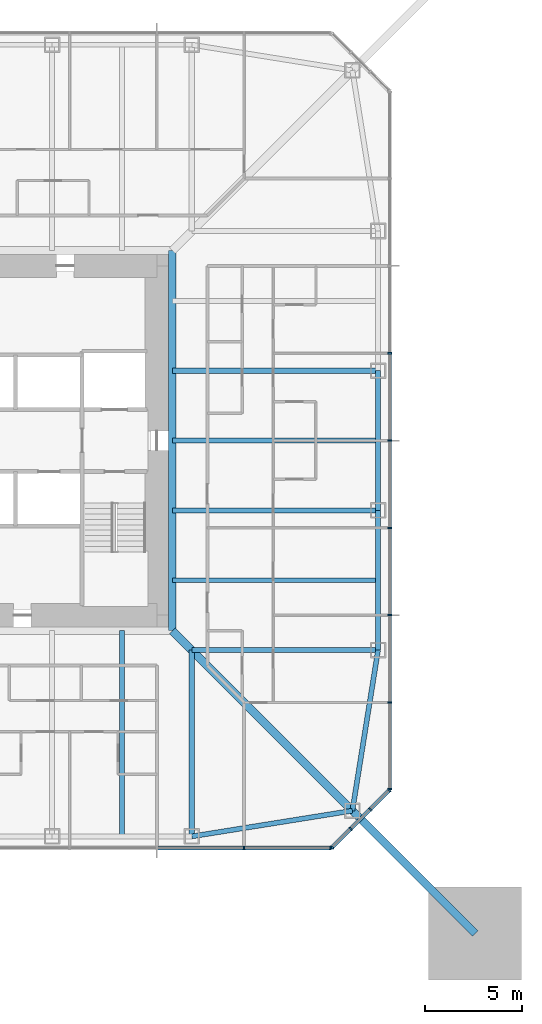
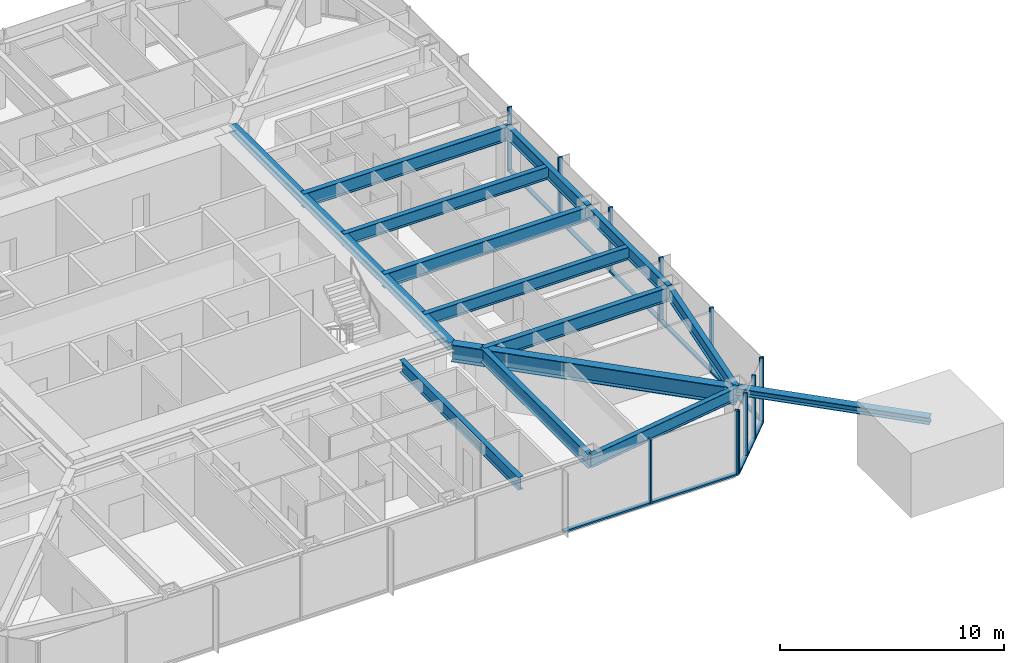
# One storey, part 3 of 14: 23 members, 13 beams, 3 elements without a shape of their own.
"""IFC4 building model written with IfcOpenShell, lengths in metres."""

from ifc_helpers import new_model, si_unit, direction, frame, origin, origin_2d, place, context, subcontext, project, spatial, rectangle, i_section, extrude, material, material_profile, profile_set, type_object, element, aggregate, save


model = new_model("IFC4")

# Units and contexts
model_context = context("Model", 3, precision=1e-05, world=origin(), true_north=direction((0.0, 1.0)))
body_context = subcontext(model_context, "Body", "Model", "MODEL_VIEW")
ifc_project = project(units=[si_unit("LENGTHUNIT", "METRE"), si_unit("AREAUNIT", "SQUARE_METRE"), si_unit("VOLUMEUNIT", "CUBIC_METRE"), si_unit("PLANEANGLEUNIT", "RADIAN"), si_unit("MASSUNIT", "GRAM", prefix="KILO")], contexts=[model_context])

# Site, building, storey
site_placement = place(None, origin())
site = spatial("IfcSite", under=ifc_project, at=site_placement, CompositionType="ELEMENT")
building_placement = place(site_placement, origin())
building = spatial("IfcBuilding", under=site, at=building_placement, Name="Iwan Alto Co-Living Towers", CompositionType="ELEMENT")
storey_placement = place(building_placement, frame((0.0, 0.0, 136.5)))
storey = spatial("IfcBuildingStorey", under=building, at=storey_placement, Name="L37", CompositionType="ELEMENT", Elevation=136.5)

# Curtain wall, members
ifc_material_1 = material(Name="Bronze aluminium unitised frame", Category="aluminium")
curtain_wall_type_1 = type_object("IfcCurtainWallType", Name="CURTAIN WALL CW-A", PredefinedType="NOTDEFINED", material=ifc_material_1)
curtain_wall_1_placement = place(storey_placement, origin())
curtain_wall_1 = element("IfcCurtainWall", 1, at=curtain_wall_1_placement, inside=storey, type_object=curtain_wall_type_1, Name="T1 curtain wall S L37", PredefinedType="NOTDEFINED")
ifc_material_2 = material(Name="Aluminium 6063-T6 bronze anodised", Category="aluminium")
ifc_material_profile_1 = material_profile(ifc_material_2, rectangle(XDim=0.199951171875, YDim=0.080078125, at=origin_2d()), Name="AL 80X200")
ifc_profile_set_1 = profile_set([ifc_material_profile_1], Name="Aluminium 6063-T6 bronze anodised")
member_type_1 = type_object("IfcMemberType", Name="CW-A MULLION 80X200", PredefinedType="MULLION", material=ifc_profile_set_1)
member_1_placement = place(storey_placement, frame((13.5, -21.0, 0.0), z_axis=(0.0, 0.0, 1.0), x_axis=(0.0, 1.0, 0.0)))
member_1 = element("IfcMember", 2, at=member_1_placement, type_object=member_type_1, Name="CW-A mullion 8", PredefinedType="MULLION", context=body_context, shape_type="SweptSolid", body=[
    extrude(rectangle(XDim=0.199951171875, YDim=0.080078125, at=origin_2d()), origin(), (0.0, 0.0, 1.0), 3.5),
])
member_2_placement = place(storey_placement, frame((17.9599609375, -21.0, 0.0), z_axis=(0.0, 0.0, 1.0), x_axis=(0.0, 1.0, 0.0)))
member_2 = element("IfcMember", 3, at=member_2_placement, type_object=member_type_1, Name="CW-A mullion 9", PredefinedType="MULLION", context=body_context, shape_type="SweptSolid", body=[
    extrude(rectangle(XDim=0.199951171875, YDim=0.080078125, at=origin_2d()), origin(), (0.0, 0.0, 1.0), 3.5),
])

curtain_wall_2_placement = place(storey_placement, origin())
curtain_wall_2 = element("IfcCurtainWall", 4, at=curtain_wall_2_placement, inside=storey, type_object=curtain_wall_type_1, Name="T1 curtain wall E L37", PredefinedType="NOTDEFINED")
member_3_placement = place(storey_placement, frame((21.0, -17.9599609375, 0.0), z_axis=(0.0, 0.0, 1.0), x_axis=(-1.0, 0.0, 0.0)))
member_3 = element("IfcMember", 5, at=member_3_placement, type_object=member_type_1, Name="CW-A mullion 1", PredefinedType="MULLION", context=body_context, shape_type="SweptSolid", body=[
    extrude(rectangle(XDim=0.199951171875, YDim=0.080078125, at=origin_2d()), origin(), (0.0, 0.0, 1.0), 3.5),
])
member_4_placement = place(storey_placement, frame((21.0, -13.5, 0.0), z_axis=(0.0, 0.0, 1.0), x_axis=(-1.0, 0.0, 0.0)))
member_4 = element("IfcMember", 6, at=member_4_placement, type_object=member_type_1, Name="CW-A mullion 2", PredefinedType="MULLION", context=body_context, shape_type="SweptSolid", body=[
    extrude(rectangle(XDim=0.199951171875, YDim=0.080078125, at=origin_2d()), origin(), (0.0, 0.0, 1.0), 3.5),
])
member_5_placement = place(storey_placement, frame((21.0, -9.0, 0.0), z_axis=(0.0, 0.0, 1.0), x_axis=(-1.0, 0.0, 0.0)))
member_5 = element("IfcMember", 7, at=member_5_placement, type_object=member_type_1, Name="CW-A mullion 3", PredefinedType="MULLION", context=body_context, shape_type="SweptSolid", body=[
    extrude(rectangle(XDim=0.199951171875, YDim=0.080078125, at=origin_2d()), origin(), (0.0, 0.0, 1.0), 3.5),
])
member_6_placement = place(storey_placement, frame((21.0, -4.5, 0.0), z_axis=(0.0, 0.0, 1.0), x_axis=(-1.0, 0.0, 0.0)))
member_6 = element("IfcMember", 8, at=member_6_placement, type_object=member_type_1, Name="CW-A mullion 4", PredefinedType="MULLION", context=body_context, shape_type="SweptSolid", body=[
    extrude(rectangle(XDim=0.199951171875, YDim=0.080078125, at=origin_2d()), origin(), (0.0, 0.0, 1.0), 3.5),
])
member_7_placement = place(storey_placement, frame((21.0, 0.0, 0.0), z_axis=(0.0, 0.0, 1.0), x_axis=(-1.0, 0.0, 0.0)))
member_7 = element("IfcMember", 9, at=member_7_placement, type_object=member_type_1, Name="CW-A mullion 5", PredefinedType="MULLION", context=body_context, shape_type="SweptSolid", body=[
    extrude(rectangle(XDim=0.199951171875, YDim=0.080078125, at=origin_2d()), origin(), (0.0, 0.0, 1.0), 3.5),
])
member_8_placement = place(storey_placement, frame((21.0, 4.5, 0.0), z_axis=(0.0, 0.0, 1.0), x_axis=(-1.0, 0.0, 0.0)))
member_8 = element("IfcMember", 10, at=member_8_placement, type_object=member_type_1, Name="CW-A mullion 6", PredefinedType="MULLION", context=body_context, shape_type="SweptSolid", body=[
    extrude(rectangle(XDim=0.199951171875, YDim=0.080078125, at=origin_2d()), origin(), (0.0, 0.0, 1.0), 3.5),
])

# Member
ifc_material_3 = material(Name="Aluminium 6063-T6 bronze anodised", Category="aluminium")
ifc_material_profile_2 = material_profile(ifc_material_3, rectangle(XDim=0.199951171875, YDim=0.10009765625, at=origin_2d()), Name="AL 200X100")
ifc_profile_set_2 = profile_set([ifc_material_profile_2], Name="Aluminium 6063-T6 bronze anodised")
member_type_2 = type_object("IfcMemberType", Name="CW-A TRANSOM 200X100", PredefinedType="USERDEFINED", material=ifc_profile_set_2)
member_9_placement = place(storey_placement, frame((9.0400390625, -21.0, 0.050048828125), z_axis=(1.0, 0.0, 0.0), x_axis=(0.0, 1.0, 0.0)))
member_9 = element("IfcMember", 11, at=member_9_placement, type_object=member_type_2, Name="CW-A transom 7.1", ObjectType="TRANSOM", PredefinedType="USERDEFINED", context=body_context, shape_type="SweptSolid", body=[
    extrude(rectangle(XDim=0.199951171875, YDim=0.10009765625, at=origin_2d()), origin(), (0.0, 0.0, 1.0), 4.419921875),
])

member_10_placement = place(storey_placement, frame((13.5400390625, -21.0, 0.050048828125), z_axis=(1.0, 0.0, 0.0), x_axis=(0.0, 1.0, 0.0)))
member_10 = element("IfcMember", 12, at=member_10_placement, type_object=member_type_2, Name="CW-A transom 8.1", ObjectType="TRANSOM", PredefinedType="USERDEFINED", context=body_context, shape_type="SweptSolid", body=[
    extrude(rectangle(XDim=0.199951171875, YDim=0.10009765625, at=origin_2d()), origin(), (0.0, 0.0, 1.0), 4.3798828125),
])

aggregate(curtain_wall_1, [member_1, member_2, member_9, member_10])

member_11_placement = place(storey_placement, frame((21.0, -17.919921875, 0.050048828125), z_axis=(0.0, 1.0, 0.0), x_axis=(-1.0, 0.0, 0.0)))
member_11 = element("IfcMember", 13, at=member_11_placement, type_object=member_type_2, Name="CW-A transom 1.1", ObjectType="TRANSOM", PredefinedType="USERDEFINED", context=body_context, shape_type="SweptSolid", body=[
    extrude(rectangle(XDim=0.199951171875, YDim=0.10009765625, at=origin_2d()), origin(), (0.0, 0.0, 1.0), 4.3798828125),
])

member_12_placement = place(storey_placement, frame((21.0, -13.4599609375, 0.050048828125), z_axis=(0.0, 1.0, 0.0), x_axis=(-1.0, 0.0, 0.0)))
member_12 = element("IfcMember", 14, at=member_12_placement, type_object=member_type_2, Name="CW-A transom 2.1", ObjectType="TRANSOM", PredefinedType="USERDEFINED", context=body_context, shape_type="SweptSolid", body=[
    extrude(rectangle(XDim=0.199951171875, YDim=0.10009765625, at=origin_2d()), origin(), (0.0, 0.0, 1.0), 4.419921875),
])

member_13_placement = place(storey_placement, frame((21.0, -8.9599609375, 0.050048828125), z_axis=(0.0, 1.0, 0.0), x_axis=(-1.0, 0.0, 0.0)))
member_13 = element("IfcMember", 15, at=member_13_placement, type_object=member_type_2, Name="CW-A transom 3.1", ObjectType="TRANSOM", PredefinedType="USERDEFINED", context=body_context, shape_type="SweptSolid", body=[
    extrude(rectangle(XDim=0.199951171875, YDim=0.10009765625, at=origin_2d()), origin(), (0.0, 0.0, 1.0), 4.419921875),
])

member_14_placement = place(storey_placement, frame((21.0, -4.4599609375, 0.050048828125), z_axis=(0.0, 1.0, 0.0), x_axis=(-1.0, 0.0, 0.0)))
member_14 = element("IfcMember", 16, at=member_14_placement, type_object=member_type_2, Name="CW-A transom 4.1", ObjectType="TRANSOM", PredefinedType="USERDEFINED", context=body_context, shape_type="SweptSolid", body=[
    extrude(rectangle(XDim=0.199951171875, YDim=0.10009765625, at=origin_2d()), origin(), (0.0, 0.0, 1.0), 4.419921875),
])

member_15_placement = place(storey_placement, frame((21.0, 0.0400390625, 0.050048828125), z_axis=(0.0, 1.0, 0.0), x_axis=(-1.0, 0.0, 0.0)))
member_15 = element("IfcMember", 17, at=member_15_placement, type_object=member_type_2, Name="CW-A transom 5.1", ObjectType="TRANSOM", PredefinedType="USERDEFINED", context=body_context, shape_type="SweptSolid", body=[
    extrude(rectangle(XDim=0.199951171875, YDim=0.10009765625, at=origin_2d()), origin(), (0.0, 0.0, 1.0), 4.419921875),
])

aggregate(curtain_wall_2, [member_3, member_4, member_5, member_6, member_7, member_8, member_11, member_12, member_13, member_14, member_15])

# Curtain wall, members
ifc_material_4 = material(Name="Bronze aluminium unitised frame", Category="aluminium")
curtain_wall_type_2 = type_object("IfcCurtainWallType", Name="CURTAIN WALL CW-B", PredefinedType="NOTDEFINED", material=ifc_material_4)
curtain_wall_3_placement = place(storey_placement, origin())
curtain_wall_3 = element("IfcCurtainWall", 18, at=curtain_wall_3_placement, inside=storey, type_object=curtain_wall_type_2, Name="T1 chamfer curtain wall SE L37", PredefinedType="NOTDEFINED")
ifc_material_5 = material(Name="Aluminium 6063-T6 bronze anodised", Category="aluminium")
ifc_material_profile_3 = material_profile(ifc_material_5, rectangle(XDim=0.199951171875, YDim=0.080078125, at=origin_2d()), Name="AL 80X200")
ifc_profile_set_3 = profile_set([ifc_material_profile_3], Name="Aluminium 6063-T6 bronze anodised")
member_type_3 = type_object("IfcMemberType", Name="CW-B MULLION 80X200", PredefinedType="MULLION", material=ifc_profile_set_3)
member_16_placement = place(storey_placement, frame((18.0283203125, -20.9716796875, 0.0), z_axis=(0.0, 0.0, 1.0), x_axis=(-0.707106781187, 0.707106781187, 0.0)))
member_16 = element("IfcMember", 19, at=member_16_placement, type_object=member_type_3, Name="CW-B mullion 1", PredefinedType="MULLION", context=body_context, shape_type="SweptSolid", body=[
    extrude(rectangle(XDim=0.199951171875, YDim=0.080078125, at=origin_2d()), origin(), (0.0, 0.0, 1.0), 3.5),
])
member_17_placement = place(storey_placement, frame((19.0, -20.0, 0.0), z_axis=(0.0, 0.0, 1.0), x_axis=(-0.707106781187, 0.707106781187, 0.0)))
member_17 = element("IfcMember", 20, at=member_17_placement, type_object=member_type_3, Name="CW-B mullion 2", PredefinedType="MULLION", context=body_context, shape_type="SweptSolid", body=[
    extrude(rectangle(XDim=0.199951171875, YDim=0.080078125, at=origin_2d()), origin(), (0.0, 0.0, 1.0), 3.5),
])
member_18_placement = place(storey_placement, frame((20.0, -19.0, 0.0), z_axis=(0.0, 0.0, 1.0), x_axis=(-0.707106781187, 0.707106781187, 0.0)))
member_18 = element("IfcMember", 21, at=member_18_placement, type_object=member_type_3, Name="CW-B mullion 3", PredefinedType="MULLION", context=body_context, shape_type="SweptSolid", body=[
    extrude(rectangle(XDim=0.199951171875, YDim=0.080078125, at=origin_2d()), origin(), (0.0, 0.0, 1.0), 3.5),
])
member_19_placement = place(storey_placement, frame((20.9716796875, -18.0283203125, 0.0), z_axis=(0.0, 0.0, 1.0), x_axis=(-0.707106781187, 0.707106781187, 0.0)))
member_19 = element("IfcMember", 22, at=member_19_placement, type_object=member_type_3, Name="CW-B mullion 4", PredefinedType="MULLION", context=body_context, shape_type="SweptSolid", body=[
    extrude(rectangle(XDim=0.199951171875, YDim=0.080078125, at=origin_2d()), origin(), (0.0, 0.0, 1.0), 3.5),
])
ifc_material_6 = material(Name="Aluminium 6063-T6 bronze anodised", Category="aluminium")
ifc_material_profile_4 = material_profile(ifc_material_6, rectangle(XDim=0.199951171875, YDim=0.10009765625, at=origin_2d()), Name="AL 200X100")
ifc_profile_set_4 = profile_set([ifc_material_profile_4], Name="Aluminium 6063-T6 bronze anodised")
member_type_4 = type_object("IfcMemberType", Name="CW-B TRANSOM 200X100", PredefinedType="USERDEFINED", material=ifc_profile_set_4)
member_20_placement = place(storey_placement, frame((18.056640625, -20.943359375, 0.050048828125), z_axis=(0.707106781187, 0.707106781187, 0.0), x_axis=(-0.707106781187, 0.707106781187, 0.0)))
member_20 = element("IfcMember", 23, at=member_20_placement, type_object=member_type_4, Name="CW-B transom 1.1", ObjectType="TRANSOM", PredefinedType="USERDEFINED", context=body_context, shape_type="SweptSolid", body=[
    extrude(rectangle(XDim=0.199951171875, YDim=0.10009765625, at=origin_2d()), origin(), (0.0, 0.0, 1.0), 1.2939453125),
])
member_21_placement = place(storey_placement, frame((19.0283203125, -19.9716796875, 0.050048828125), z_axis=(0.707106781187, 0.707106781187, 0.0), x_axis=(-0.707106781187, 0.707106781187, 0.0)))
member_21 = element("IfcMember", 24, at=member_21_placement, type_object=member_type_4, Name="CW-B transom 2.1", ObjectType="TRANSOM", PredefinedType="USERDEFINED", context=body_context, shape_type="SweptSolid", body=[
    extrude(rectangle(XDim=0.199951171875, YDim=0.10009765625, at=origin_2d()), origin(), (0.0, 0.0, 1.0), 1.334228515625),
])
member_22_placement = place(storey_placement, frame((20.0283203125, -18.9716796875, 0.050048828125), z_axis=(0.707106781187, 0.707106781187, 0.0), x_axis=(-0.707106781187, 0.707106781187, 0.0)))
member_22 = element("IfcMember", 25, at=member_22_placement, type_object=member_type_4, Name="CW-B transom 3.1", ObjectType="TRANSOM", PredefinedType="USERDEFINED", context=body_context, shape_type="SweptSolid", body=[
    extrude(rectangle(XDim=0.199951171875, YDim=0.10009765625, at=origin_2d()), origin(), (0.0, 0.0, 1.0), 1.2939453125),
])
aggregate(curtain_wall_3, [member_16, member_17, member_18, member_19, member_20, member_21, member_22])

# Beams
ifc_material_7 = material(Name="Steel ASTM A992 Gr 50", Category="steel")
ifc_material_profile_5 = material_profile(ifc_material_7, i_section(OverallWidth=0.398681640625, OverallDepth=0.385986328125, WebThickness=0.02099609375, FlangeThickness=0.033203125, at=origin_2d()), Name="W14X176")
ifc_profile_set_5 = profile_set([ifc_material_profile_5], Name="Steel ASTM A992 Gr 50")
beam_type_1 = type_object("IfcBeamType", Name="T1 CORE LEDGER BEAM W14X176", PredefinedType="BEAM", material=ifc_profile_set_5)
beam_1_placement = place(storey_placement, frame((9.79931640625, -9.79931640625, 3.076904296875), z_axis=(0.0, 1.0, 0.0), x_axis=(-1.0, 0.0, 0.0)))
element("IfcBeam", 26, at=beam_1_placement, inside=storey, type_object=beam_type_1, Name="T1 core ledger beam E L38", PredefinedType="BEAM", context=body_context, shape_type="SweptSolid", body=[
    extrude(i_section(OverallWidth=0.398681640625, OverallDepth=0.385986328125, WebThickness=0.02099609375, FlangeThickness=0.033203125, at=origin_2d()), origin(), (0.0, 0.0, 1.0), 19.5986328125),
])
ifc_material_8 = material(Name="Steel ASTM A992 Gr 50", Category="steel")
ifc_material_profile_6 = material_profile(ifc_material_8, i_section(OverallWidth=0.419189453125, OverallDepth=0.927001953125, WebThickness=0.019287109375, FlangeThickness=0.031982421875, at=origin_2d()), Name="W36X231")
ifc_profile_set_6 = profile_set([ifc_material_profile_6], Name="Steel ASTM A992 Gr 50")
beam_type_2 = type_object("IfcBeamType", Name="T1 CORNER GIRDER W36X231", PredefinedType="BEAM", material=ifc_profile_set_6)
beam_2_placement = place(storey_placement, frame((19.07568359375, -19.07568359375, 2.806396484375), z_axis=(-0.707106781187, 0.707106781187, 0.0), x_axis=(-0.707106781187, -0.707106781187, 0.0)))
element("IfcBeam", 27, at=beam_2_placement, inside=storey, type_object=beam_type_2, Name="T1 corner girder CSE L38", PredefinedType="BEAM", context=body_context, shape_type="SweptSolid", body=[
    extrude(i_section(OverallWidth=0.419189453125, OverallDepth=0.927001953125, WebThickness=0.019287109375, FlangeThickness=0.031982421875, at=origin_2d()), origin(), (0.0, 0.0, 1.0), 13.11865234375),
])
ifc_material_9 = material(Name="Steel ASTM A992 Gr 50", Category="steel")
ifc_material_profile_7 = material_profile(ifc_material_9, i_section(OverallWidth=0.25390625, OverallDepth=0.683349609375, WebThickness=0.012451171875, FlangeThickness=0.018798828125, at=origin_2d()), Name="W27X94")
ifc_profile_set_7 = profile_set([ifc_material_profile_7], Name="Steel ASTM A992 Gr 50")
beam_type_3 = type_object("IfcBeamType", Name="T1 EDGE BEAM W27X94", PredefinedType="BEAM", material=ifc_profile_set_7)
for number, where, z_axis, x_axis, name in (
    (28, (10.800048828125, -20.39990234375, 2.928466796875), (0.987438450439, 0.158004134737, 0.0), (-0.158004134737, 0.987438450439, 0.0), "T1 edge beam S4 L38"),
    (29, (19.07568359375, -19.07568359375, 2.928466796875), (0.158004134737, 0.987438450439, 0.0), (-0.987438450439, 0.158004134737, 0.0), "T1 edge beam CSE L38"),
):
    element("IfcBeam", number, at=place(storey_placement, frame(where, z_axis=z_axis, x_axis=x_axis)), inside=storey, type_object=beam_type_3, Name=name, PredefinedType="BEAM", context=body_context, shape_type="SweptSolid", body=[
        extrude(i_section(OverallWidth=0.25390625, OverallDepth=0.683349609375, WebThickness=0.012451171875, FlangeThickness=0.018798828125, at=origin_2d()), origin(), (0.0, 0.0, 1.0), 8.380859375),
    ])
beam_3_placement = place(storey_placement, frame((20.39990234375, -10.800048828125, 2.928466796875), z_axis=(0.0, 1.0, 0.0), x_axis=(-1.0, 0.0, 0.0)))
element("IfcBeam", 30, at=beam_3_placement, inside=storey, type_object=beam_type_3, Name="T1 edge beam E1 L38", PredefinedType="BEAM", context=body_context, shape_type="SweptSolid", body=[
    extrude(i_section(OverallWidth=0.25390625, OverallDepth=0.683349609375, WebThickness=0.012451171875, FlangeThickness=0.018798828125, at=origin_2d()), origin(), (0.0, 0.0, 1.0), 7.199951171875),
])
beam_4_placement = place(storey_placement, frame((20.39990234375, -3.60009765625, 2.928466796875), z_axis=(0.0, 1.0, 0.0), x_axis=(-1.0, 0.0, 0.0)))
element("IfcBeam", 31, at=beam_4_placement, inside=storey, type_object=beam_type_3, Name="T1 edge beam E2 L38", PredefinedType="BEAM", context=body_context, shape_type="SweptSolid", body=[
    extrude(i_section(OverallWidth=0.25390625, OverallDepth=0.683349609375, WebThickness=0.012451171875, FlangeThickness=0.018798828125, at=origin_2d()), origin(), (0.0, 0.0, 1.0), 7.2001953125),
])

# Member
ifc_material_10 = material(Name="Steel ASTM A992 Gr 50", Category="steel")
ifc_material_profile_8 = material_profile(ifc_material_10, i_section(OverallWidth=0.393798828125, OverallDepth=0.3759765625, WebThickness=0.017333984375, FlangeThickness=0.027587890625, at=origin_2d()), Name="W14X145")
ifc_profile_set_8 = profile_set([ifc_material_profile_8], Name="Steel ASTM A992 Gr 50")
member_type_5 = type_object("IfcMemberType", Name="T1 MEGA COLUMN FLOOR TIE W14X145", PredefinedType="STRUT", material=ifc_profile_set_8)
member_23_placement = place(storey_placement, frame((25.39990234375, -25.39990234375, 3.08203125), z_axis=(-0.707106781187, 0.707106781187, 0.0), x_axis=(-0.707106781187, -0.707106781187, 0.0)))
element("IfcMember", 32, at=member_23_placement, inside=storey, type_object=member_type_5, Name="T1 mega column floor tie SE L38", PredefinedType="STRUT", context=body_context, shape_type="SweptSolid", body=[
    extrude(i_section(OverallWidth=0.393798828125, OverallDepth=0.3759765625, WebThickness=0.017333984375, FlangeThickness=0.027587890625, at=origin_2d()), origin(), (0.0, 0.0, 1.0), 8.94384765625),
])

# Beams
ifc_material_11 = material(Name="Steel ASTM A992 Gr 50", Category="steel")
ifc_material_profile_9 = material_profile(ifc_material_11, i_section(OverallWidth=0.2666015625, OverallDepth=0.761962890625, WebThickness=0.014404296875, FlangeThickness=0.021484375, at=origin_2d()), Name="W30X116")
ifc_profile_set_9 = profile_set([ifc_material_profile_9], Name="Steel ASTM A992 Gr 50")
beam_type_4 = type_object("IfcBeamType", Name="T1 RADIAL BEAM W30X116", PredefinedType="BEAM", material=ifc_profile_set_9)
for number, where, z_axis, x_axis, name in (
    (33, (10.800048828125, -20.39990234375, 2.888916015625), (0.0, 1.0, 0.0), (-1.0, 0.0, 0.0), "T1 radial beam S4 L38"),
    (34, (20.39990234375, -10.800048828125, 2.888916015625), (-1.0, 0.0, 0.0), (0.0, -1.0, 0.0), "T1 radial beam E1 L38"),
):
    element("IfcBeam", number, at=place(storey_placement, frame(where, z_axis=z_axis, x_axis=x_axis)), inside=storey, type_object=beam_type_4, Name=name, PredefinedType="BEAM", context=body_context, shape_type="SweptSolid", body=[
        extrude(i_section(OverallWidth=0.2666015625, OverallDepth=0.761962890625, WebThickness=0.014404296875, FlangeThickness=0.021484375, at=origin_2d()), origin(), (0.0, 0.0, 1.0), 9.599853515625),
    ])
for number, where, z_axis, x_axis, name in (
    (35, (20.39990234375, -3.60009765625, 2.888916015625), (-1.0, 0.0, 0.0), (0.0, -1.0, 0.0), "T1 radial beam E2 L38"),
    (36, (20.39990234375, 3.60009765625, 2.888916015625), (-1.0, 0.0, 0.0), (0.0, -1.0, 0.0), "T1 radial beam E3 L38"),
):
    element("IfcBeam", number, at=place(storey_placement, frame(where, z_axis=z_axis, x_axis=x_axis)), inside=storey, type_object=beam_type_4, Name=name, PredefinedType="BEAM", context=body_context, shape_type="SweptSolid", body=[
        extrude(i_section(OverallWidth=0.2666015625, OverallDepth=0.761962890625, WebThickness=0.014404296875, FlangeThickness=0.021484375, at=origin_2d()), origin(), (0.0, 0.0, 1.0), 10.6005859375),
    ])
ifc_material_12 = material(Name="Steel ASTM A992 Gr 50", Category="steel")
ifc_material_profile_10 = material_profile(ifc_material_12, i_section(OverallWidth=0.25390625, OverallDepth=0.683349609375, WebThickness=0.012451171875, FlangeThickness=0.018798828125, at=origin_2d()), Name="W27X94")
ifc_profile_set_10 = profile_set([ifc_material_profile_10], Name="Steel ASTM A992 Gr 50")
beam_type_5 = type_object("IfcBeamType", Name="T1 SECONDARY BEAM W27X94", PredefinedType="JOIST", material=ifc_profile_set_10)
for number, where, z_axis, x_axis, name in (
    (37, (7.199951171875, -20.39990234375, 2.928466796875), (0.0, 1.0, 0.0), (-1.0, 0.0, 0.0), "T1 secondary beam S3 L38"),
    (38, (20.39990234375, -7.199951171875, 2.928466796875), (-1.0, 0.0, 0.0), (0.0, -1.0, 0.0), "T1 secondary beam E1 L38"),
    (39, (20.39990234375, 0.0, 2.928466796875), (-1.0, 0.0, 0.0), (0.0, -1.0, 0.0), "T1 secondary beam E2 L38"),
):
    element("IfcBeam", number, at=place(storey_placement, frame(where, z_axis=z_axis, x_axis=x_axis)), inside=storey, type_object=beam_type_5, Name=name, PredefinedType="JOIST", context=body_context, shape_type="SweptSolid", body=[
        extrude(i_section(OverallWidth=0.25390625, OverallDepth=0.683349609375, WebThickness=0.012451171875, FlangeThickness=0.018798828125, at=origin_2d()), origin(), (0.0, 0.0, 1.0), 10.6005859375),
    ])

save(model, "model.ifc")
